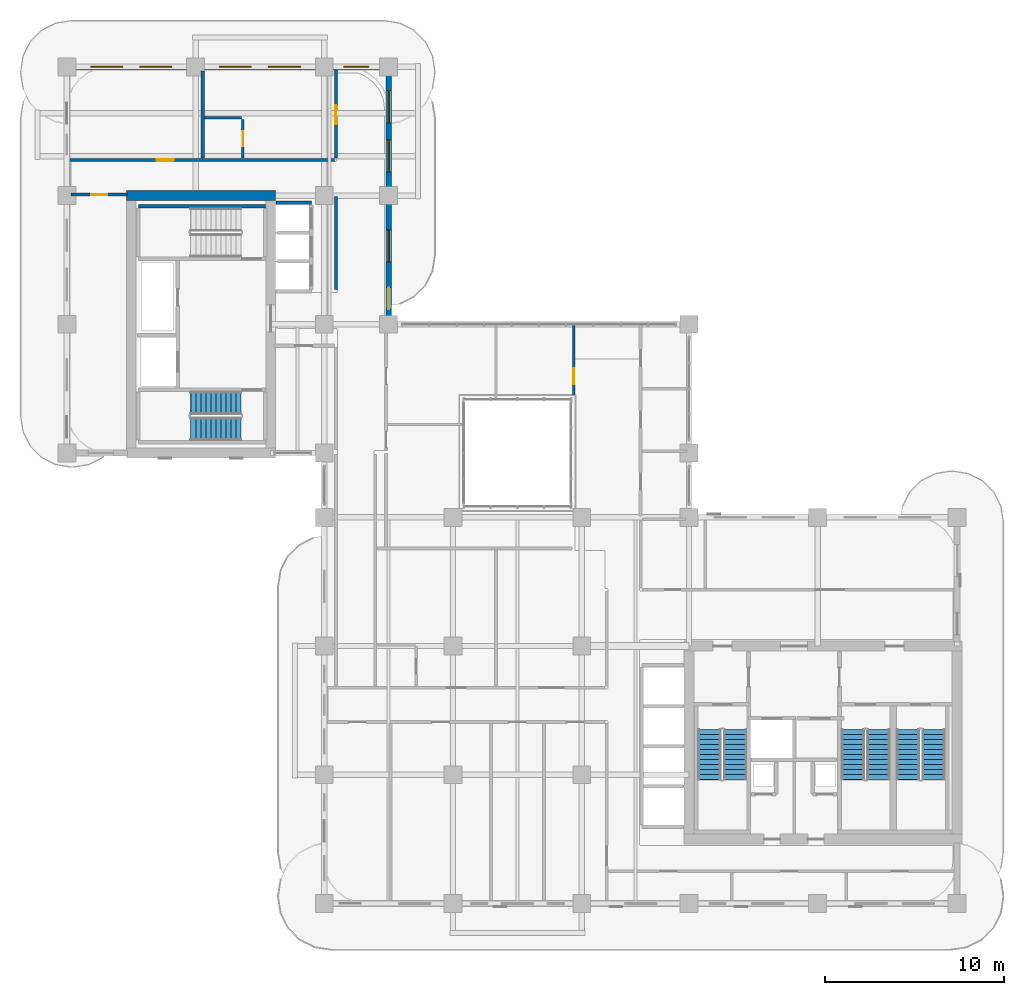
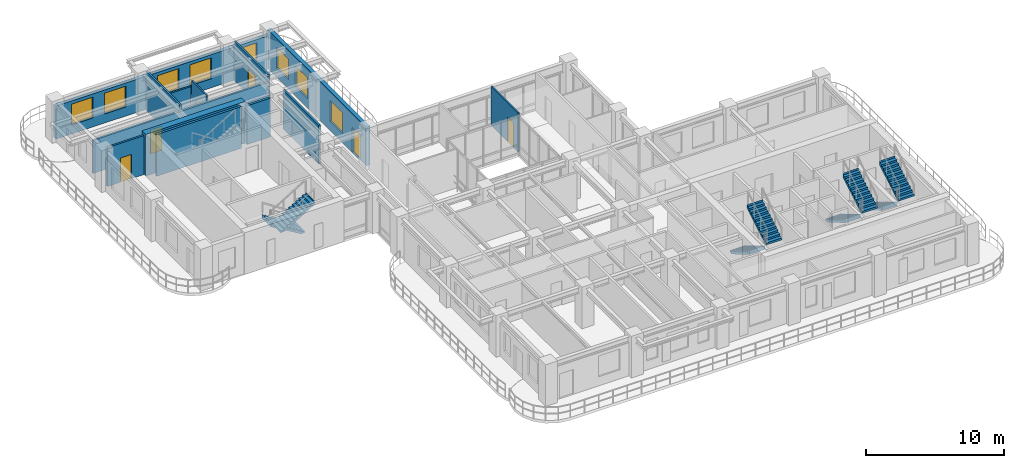
# One storey, part 15 of 20: 13 walls, 8 stair flights, 8 windows, 6 doors, 14 openings, 4 elements without a shape of their own.
"""IFC4 building model written with IfcOpenShell, lengths in metres."""

from ifc_helpers import new_model, si_unit, derived_unit, direction, frame, frame_2d, origin, place, context, subcontext, project, spatial, polyline, rectangle, outline, extrude, source, transform, mapped, material, layer, layer_set, type_object, type_shapes, element, fill, aggregate, save


model = new_model("IFC4")

# Units and contexts
model_context = context("Model", 3, precision=1e-05, world=origin(), true_north=direction((0.0, 1.0)))
body_context = subcontext(model_context, "Body", "Model", "MODEL_VIEW")
ifc_project = project(units=[si_unit("LENGTHUNIT", "METRE"), si_unit("AREAUNIT", "SQUARE_METRE"), si_unit("VOLUMEUNIT", "CUBIC_METRE"), si_unit("PLANEANGLEUNIT", "RADIAN"), si_unit("MASSUNIT", "GRAM", prefix="KILO"), si_unit("THERMODYNAMICTEMPERATUREUNIT", "KELVIN"), si_unit("POWERUNIT", "WATT"), derived_unit("THERMALTRANSMITTANCEUNIT", [(si_unit("POWERUNIT", "WATT"), 1), (si_unit("AREAUNIT", "SQUARE_METRE"), -1), (si_unit("THERMODYNAMICTEMPERATUREUNIT", "KELVIN"), -1)])], contexts=[model_context])

# Site, building, storey
site_placement = place(None, origin())
site = spatial("IfcSite", under=ifc_project, at=site_placement, CompositionType="ELEMENT")
building_placement = place(site_placement, origin())
building = spatial("IfcBuilding", under=site, at=building_placement, Name="Zahravan Archway Hotel and Residences", CompositionType="ELEMENT")
storey_placement = place(building_placement, frame((0.0, 0.0, 137.699951171875)))
storey = spatial("IfcBuildingStorey", under=building, at=storey_placement, Name="L34", CompositionType="ELEMENT", Elevation=137.699951171875)

# Wall
ifc_material_1 = material(Name="Concrete C70/85", Category="concrete")
ifc_layer_1 = layer(ifc_material_1, 0.550048828125, Name="Concrete C70/85", Category="concrete")
ifc_layer_set_1 = layer_set([ifc_layer_1], Name="Concrete C70/85")
wall_type_1 = type_object("IfcWallType", Name="CW-CORE-550", PredefinedType="SHEAR", material=ifc_layer_set_1)
wall_1_placement = place(storey_placement, frame((3.324951171875, 39.60009765625, 0.0), z_axis=(0.0, 0.0, 1.0), x_axis=(1.0, 0.0, 0.0)))
element("IfcWall", 1, at=wall_1_placement, inside=storey, type_object=wall_type_1, Name="L34 Core B Shear N Wall 550 mm", PredefinedType="SHEAR", context=body_context, shape_type="SweptSolid", body=[
    extrude(rectangle(XDim=8.35009765625, YDim=0.550048828125, at=frame_2d((4.175048828125, 0.0))), origin(), (0.0, 0.0, 1.0), 3.699951171875),
])

# Wall, openings, windows
ifc_material_2 = material(Name="Agra Buff Sandstone & Insulated Backup", Category="masonry")
ifc_layer_2 = layer(ifc_material_2, 0.320068359375, Name="Agra Buff Sandstone & Insulated Backup", Category="masonry")
ifc_layer_set_2 = layer_set([ifc_layer_2], Name="Agra Buff Sandstone & Insulated Backup")
wall_type_2 = type_object("IfcWallType", Name="EW-SAND-320", PredefinedType="SOLIDWALL", material=ifc_layer_set_2)
wall_2_placement = place(storey_placement, frame((0.0, 46.800048828125, 0.0), z_axis=(0.0, 0.0, 1.0), x_axis=(1.0, 0.0, 0.0)))
wall_2 = element("IfcWall", 2, at=wall_2_placement, inside=storey, type_object=wall_type_2, Name="L34 Exterior Sandstone Wall WB-N", PredefinedType="SOLIDWALL", context=body_context, shape_type="SweptSolid", body=[
    extrude(rectangle(XDim=18.0, YDim=0.320068359375, at=frame_2d((9.0, 0.0))), origin(), (0.0, 0.0, 1.0), 2.93505859375),
])
opening_1_placement = place(wall_2_placement, frame((1.324951171875, 0.0, 0.800048828125)))
opening_1 = element("IfcOpeningElement", 3, at=opening_1_placement, cuts=wall_2, Name="Opening W-02", PredefinedType="OPENING", context=body_context, shape_type="SweptSolid", body=[
    extrude(rectangle(XDim=1.800048828125, YDim=1.85009765625, at=frame_2d((0.89990234375, 0.925048828125))), frame((0.0, 0.169921875, 0.0), z_axis=(0.0, -1.0, 0.0), x_axis=(1.0, 0.0, 0.0)), (0.0, 0.0, 1.0), 0.340087890625),
])
opening_2_placement = place(wall_2_placement, frame((4.074951171875, 0.0, 0.800048828125)))
opening_2 = element("IfcOpeningElement", 4, at=opening_2_placement, cuts=wall_2, Name="Opening W-02", PredefinedType="OPENING", context=body_context, shape_type="SweptSolid", body=[
    extrude(rectangle(XDim=1.800048828125, YDim=1.85009765625, at=frame_2d((0.89990234375, 0.925048828125))), frame((0.0, 0.169921875, 0.0), z_axis=(0.0, -1.0, 0.0), x_axis=(1.0, 0.0, 0.0)), (0.0, 0.0, 1.0), 0.340087890625),
])
opening_3_placement = place(wall_2_placement, frame((8.52490234375, 0.0, 0.800048828125)))
opening_3 = element("IfcOpeningElement", 5, at=opening_3_placement, cuts=wall_2, Name="Opening W-02", PredefinedType="OPENING", context=body_context, shape_type="SweptSolid", body=[
    extrude(rectangle(XDim=1.800048828125, YDim=1.85009765625, at=frame_2d((0.89990234375, 0.925048828125))), frame((0.0, 0.169921875, 0.0), z_axis=(0.0, -1.0, 0.0), x_axis=(1.0, 0.0, 0.0)), (0.0, 0.0, 1.0), 0.340087890625),
])
opening_4_placement = place(wall_2_placement, frame((11.27490234375, 0.0, 0.800048828125)))
opening_4 = element("IfcOpeningElement", 6, at=opening_4_placement, cuts=wall_2, Name="Opening W-02", PredefinedType="OPENING", context=body_context, shape_type="SweptSolid", body=[
    extrude(rectangle(XDim=1.800048828125, YDim=1.85009765625, at=frame_2d((0.89990234375, 0.925048828125))), frame((0.0, 0.169921875, 0.0), z_axis=(0.0, -1.0, 0.0), x_axis=(1.0, 0.0, 0.0)), (0.0, 0.0, 1.0), 0.340087890625),
])
opening_5_placement = place(wall_2_placement, frame((15.5, 0.0, 0.800048828125)))
opening_5 = element("IfcOpeningElement", 7, at=opening_5_placement, cuts=wall_2, Name="Opening W-03", PredefinedType="OPENING", context=body_context, shape_type="SweptSolid", body=[
    extrude(rectangle(XDim=1.39990234375, YDim=1.85009765625, at=frame_2d((0.699951171875, 0.925048828125))), frame((0.0, 0.169921875, 0.0), z_axis=(0.0, -1.0, 0.0), x_axis=(1.0, 0.0, 0.0)), (0.0, 0.0, 1.0), 0.340087890625),
])
ifc_material_3 = material(Name="Bronze-Anodized Thermal-Break Aluminium & Low-E Glass", Category="aluminium")
window_type_1 = type_object("IfcWindowType", Name="WIN-TWR-1400", PartitioningType="SINGLE_PANEL", PredefinedType="WINDOW", material=ifc_material_3)
shared_shape_1 = source(origin(), body_context, "Body", "SweptSolid", [
    extrude(rectangle(XDim=1.39990234375, YDim=1.85009765625, at=frame_2d((0.699951171875, 0.925048828125))), frame((0.0, 0.030029296875, 0.0), z_axis=(0.0, -1.0, 0.0), x_axis=(1.0, 0.0, 0.0)), (0.0, 0.0, 1.0), 0.06005859375),
])
type_shapes(window_type_1, [shared_shape_1])
window_1_placement = place(opening_5_placement, origin())
window_1 = element("IfcWindow", 8, at=window_1_placement, inside=storey, type_object=window_type_1, Name="L34 Loggia Window 30", OverallHeight=1.85009765625, OverallWidth=1.39990234375, PartitioningType="SINGLE_PANEL", PredefinedType="WINDOW", context=body_context, shape_type="MappedRepresentation", body=[
    mapped(shared_shape_1, transform((0.0, 0.0, 0.0), scale=1.0)),
])
fill(opening_5, window_1)
window_type_2 = type_object("IfcWindowType", Name="WIN-TWR-1800", PartitioningType="DOUBLE_PANEL_VERTICAL", PredefinedType="WINDOW", material=ifc_material_3)
shared_shape_2 = source(origin(), body_context, "Body", "SweptSolid", [
    extrude(rectangle(XDim=1.800048828125, YDim=1.85009765625, at=frame_2d((0.89990234375, 0.925048828125))), frame((0.0, 0.030029296875, 0.0), z_axis=(0.0, -1.0, 0.0), x_axis=(1.0, 0.0, 0.0)), (0.0, 0.0, 1.0), 0.06005859375),
])
type_shapes(window_type_2, [shared_shape_2])
window_2_placement = place(opening_1_placement, origin())
window_2 = element("IfcWindow", 9, at=window_2_placement, inside=storey, type_object=window_type_2, Name="L34 Loggia Window 26", OverallHeight=1.85009765625, OverallWidth=1.800048828125, PartitioningType="DOUBLE_PANEL_VERTICAL", PredefinedType="WINDOW", context=body_context, shape_type="MappedRepresentation", body=[
    mapped(shared_shape_2, transform((0.0, 0.0, 0.0), scale=1.0)),
])
fill(opening_1, window_2)
window_3_placement = place(opening_2_placement, origin())
window_3 = element("IfcWindow", 10, at=window_3_placement, inside=storey, type_object=window_type_2, Name="L34 Loggia Window 27", OverallHeight=1.85009765625, OverallWidth=1.800048828125, PartitioningType="DOUBLE_PANEL_VERTICAL", PredefinedType="WINDOW", context=body_context, shape_type="MappedRepresentation", body=[
    mapped(shared_shape_2, transform((0.0, 0.0, 0.0), scale=1.0)),
])
fill(opening_2, window_3)
window_4_placement = place(opening_3_placement, origin())
window_4 = element("IfcWindow", 11, at=window_4_placement, inside=storey, type_object=window_type_2, Name="L34 Loggia Window 28", OverallHeight=1.85009765625, OverallWidth=1.800048828125, PartitioningType="DOUBLE_PANEL_VERTICAL", PredefinedType="WINDOW", context=body_context, shape_type="MappedRepresentation", body=[
    mapped(shared_shape_2, transform((0.0, 0.0, 0.0), scale=1.0)),
])
fill(opening_3, window_4)
window_5_placement = place(opening_4_placement, origin())
window_5 = element("IfcWindow", 12, at=window_5_placement, inside=storey, type_object=window_type_2, Name="L34 Loggia Window 29", OverallHeight=1.85009765625, OverallWidth=1.800048828125, PartitioningType="DOUBLE_PANEL_VERTICAL", PredefinedType="WINDOW", context=body_context, shape_type="MappedRepresentation", body=[
    mapped(shared_shape_2, transform((0.0, 0.0, 0.0), scale=1.0)),
])
fill(opening_4, window_5)

# Wall, openings, door, windows
wall_3_placement = place(storey_placement, frame((18.0, 32.39990234375, 0.0), z_axis=(0.0, 0.0, 1.0), x_axis=(0.0, 1.0, 0.0)))
wall_3 = element("IfcWall", 13, at=wall_3_placement, inside=storey, type_object=wall_type_2, Name="L34 Exterior Sandstone Wall WB-EU", PredefinedType="SOLIDWALL", context=body_context, shape_type="SweptSolid", body=[
    extrude(rectangle(XDim=14.35009765625, YDim=0.320068359375, at=frame_2d((7.175048828125, 0.0))), origin(), (0.0, 0.0, 1.0), 3.449951171875),
])
opening_6_placement = place(wall_3_placement, frame((0.85009765625, 0.0, 0.0)))
opening_6 = element("IfcOpeningElement", 14, at=opening_6_placement, cuts=wall_3, Name="Opening ED-BL1", PredefinedType="OPENING", context=body_context, shape_type="SweptSolid", body=[
    extrude(rectangle(XDim=1.199951171875, YDim=2.199951171875, at=frame_2d((0.60009765625, 1.10009765625))), frame((0.0, 0.169921875, 0.0), z_axis=(0.0, -1.0, 0.0), x_axis=(1.0, 0.0, 0.0)), (0.0, 0.0, 1.0), 0.340087890625),
])
opening_7_placement = place(wall_3_placement, frame((3.47509765625, 0.0, 0.800048828125)))
opening_7 = element("IfcOpeningElement", 15, at=opening_7_placement, cuts=wall_3, Name="Opening W-02", PredefinedType="OPENING", context=body_context, shape_type="SweptSolid", body=[
    extrude(rectangle(XDim=1.800048828125, YDim=1.85009765625, at=frame_2d((0.89990234375, 0.925048828125))), frame((0.0, 0.169921875, 0.0), z_axis=(0.0, -1.0, 0.0), x_axis=(1.0, 0.0, 0.0)), (0.0, 0.0, 1.0), 0.340087890625),
])
opening_8_placement = place(wall_3_placement, frame((8.52490234375, 0.0, 0.800048828125)))
opening_8 = element("IfcOpeningElement", 16, at=opening_8_placement, cuts=wall_3, Name="Opening W-02", PredefinedType="OPENING", context=body_context, shape_type="SweptSolid", body=[
    extrude(rectangle(XDim=1.800048828125, YDim=1.85009765625, at=frame_2d((0.89990234375, 0.925048828125))), frame((0.0, 0.169921875, 0.0), z_axis=(0.0, -1.0, 0.0), x_axis=(1.0, 0.0, 0.0)), (0.0, 0.0, 1.0), 0.340087890625),
])
opening_9_placement = place(wall_3_placement, frame((11.27490234375, 0.0, 0.800048828125)))
opening_9 = element("IfcOpeningElement", 17, at=opening_9_placement, cuts=wall_3, Name="Opening W-02", PredefinedType="OPENING", context=body_context, shape_type="SweptSolid", body=[
    extrude(rectangle(XDim=1.800048828125, YDim=1.85009765625, at=frame_2d((0.89990234375, 0.925048828125))), frame((0.0, 0.169921875, 0.0), z_axis=(0.0, -1.0, 0.0), x_axis=(1.0, 0.0, 0.0)), (0.0, 0.0, 1.0), 0.340087890625),
])
ifc_material_4 = material(Name="Bronze-Anodized Glazed Aluminium", Category="aluminium")
door_type_1 = type_object("IfcDoorType", Name="ED-BALC-1200", OperationType="SLIDING_TO_LEFT", PredefinedType="DOOR", material=ifc_material_4)
shared_shape_3 = source(origin(), body_context, "Body", "SweptSolid", [
    extrude(rectangle(XDim=1.199951171875, YDim=2.199951171875, at=frame_2d((0.60009765625, 1.10009765625))), frame((0.0, 0.02490234375, 0.0), z_axis=(0.0, -1.0, 0.0), x_axis=(1.0, 0.0, 0.0)), (0.0, 0.0, 1.0), 0.050048828125),
])
type_shapes(door_type_1, [shared_shape_3])
door_1_placement = place(opening_6_placement, origin())
door_1 = element("IfcDoor", 18, at=door_1_placement, inside=storey, type_object=door_type_1, Name="L34 Outdoor Access Sliding Door (SLB-BAL-L34-EB)", OperationType="SLIDING_TO_LEFT", OverallHeight=2.199951171875, OverallWidth=1.199951171875, PredefinedType="DOOR", context=body_context, shape_type="MappedRepresentation", body=[
    mapped(shared_shape_3, transform((0.0, 0.0, 0.0), scale=1.0)),
])
fill(opening_6, door_1)
window_6_placement = place(opening_7_placement, origin())
window_6 = element("IfcWindow", 19, at=window_6_placement, inside=storey, type_object=window_type_2, Name="L34 Loggia Window 31", OverallHeight=1.85009765625, OverallWidth=1.800048828125, PartitioningType="DOUBLE_PANEL_VERTICAL", PredefinedType="WINDOW", context=body_context, shape_type="MappedRepresentation", body=[
    mapped(shared_shape_2, transform((0.0, 0.0, 0.0), scale=1.0)),
])
fill(opening_7, window_6)
window_7_placement = place(opening_8_placement, origin())
window_7 = element("IfcWindow", 20, at=window_7_placement, inside=storey, type_object=window_type_2, Name="L34 Loggia Window 32", OverallHeight=1.85009765625, OverallWidth=1.800048828125, PartitioningType="DOUBLE_PANEL_VERTICAL", PredefinedType="WINDOW", context=body_context, shape_type="MappedRepresentation", body=[
    mapped(shared_shape_2, transform((0.0, 0.0, 0.0), scale=1.0)),
])
fill(opening_8, window_7)
window_8_placement = place(opening_9_placement, origin())
window_8 = element("IfcWindow", 21, at=window_8_placement, inside=storey, type_object=window_type_2, Name="L34 Loggia Window 33", OverallHeight=1.85009765625, OverallWidth=1.800048828125, PartitioningType="DOUBLE_PANEL_VERTICAL", PredefinedType="WINDOW", context=body_context, shape_type="MappedRepresentation", body=[
    mapped(shared_shape_2, transform((0.0, 0.0, 0.0), scale=1.0)),
])
fill(opening_9, window_8)

# Wall
ifc_material_5 = material(Name="Fire-Rated Gypsum & Concrete Block", Category="concrete")
ifc_layer_3 = layer(ifc_material_5, 0.159912109375, Name="Fire-Rated Gypsum & Concrete Block", Category="concrete")
ifc_layer_set_3 = layer_set([ifc_layer_3], Name="Fire-Rated Gypsum & Concrete Block")
wall_type_3 = type_object("IfcWallType", Name="PW-CORR-160", PredefinedType="PARTITIONING", material=ifc_layer_set_3)
wall_4_placement = place(storey_placement, frame((15.050048828125, 34.340087890625, 0.0), z_axis=(0.0, 0.0, 1.0), x_axis=(0.0, 1.0, 0.0)))
element("IfcWall", 22, at=wall_4_placement, inside=storey, type_object=wall_type_3, Name="L34 Partition WBN-CL", PredefinedType="PARTITIONING", context=body_context, shape_type="SweptSolid", body=[
    extrude(rectangle(XDim=5.219970703125, YDim=0.159912109375, at=frame_2d((2.60986328125, 0.0))), origin(), (0.0, 0.0, 1.0), 3.449951171875),
])

# Wall, opening, door
wall_5_placement = place(storey_placement, frame((15.050048828125, 41.68994140625, 0.0), z_axis=(0.0, 0.0, 1.0), x_axis=(0.0, 1.0, 0.0)))
wall_5 = element("IfcWall", 23, at=wall_5_placement, inside=storey, type_object=wall_type_3, Name="L34 Partition WBN-CU", PredefinedType="PARTITIONING", context=body_context, shape_type="SweptSolid", body=[
    extrude(rectangle(XDim=4.942138671875, YDim=0.159912109375, at=frame_2d((2.47119140625, 0.0))), origin(), (0.0, 0.0, 1.0), 3.449951171875),
])
opening_10_placement = place(wall_5_placement, frame((1.909912109375, 0.0, 0.0)))
opening_10 = element("IfcOpeningElement", 24, at=opening_10_placement, cuts=wall_5, Name="Opening D-U1", PredefinedType="OPENING", context=body_context, shape_type="SweptSolid", body=[
    extrude(rectangle(XDim=1.050048828125, YDim=2.25, at=frame_2d((0.52490234375, 1.125))), frame((0.0, 0.08984375, 0.0), z_axis=(0.0, -1.0, 0.0), x_axis=(1.0, 0.0, 0.0)), (0.0, 0.0, 1.0), 0.179931640625),
])
ifc_material_6 = material(Name="Hardwood Veneer Timber", Category="wood")
door_type_2 = type_object("IfcDoorType", Name="ID-UNIT-1050", OperationType="NOTDEFINED", PredefinedType="DOOR", material=ifc_material_6)
shared_shape_4 = source(origin(), body_context, "Body", "SweptSolid", [
    extrude(rectangle(XDim=1.050048828125, YDim=2.25, at=frame_2d((0.52490234375, 1.125))), frame((0.0, 0.02490234375, 0.0), z_axis=(0.0, -1.0, 0.0), x_axis=(1.0, 0.0, 0.0)), (0.0, 0.0, 1.0), 0.050048828125),
])
type_shapes(door_type_2, [shared_shape_4])
door_2_placement = place(opening_10_placement, origin())
door_2 = element("IfcDoor", 25, at=door_2_placement, inside=storey, type_object=door_type_2, Name="L34 Hotel Guestroom 78 Entrance Door", OperationType="SINGLE_SWING_RIGHT", OverallHeight=2.25, OverallWidth=1.050048828125, PredefinedType="DOOR", context=body_context, shape_type="MappedRepresentation", body=[
    mapped(shared_shape_4, transform((0.0, 0.0, 0.0), scale=1.0)),
])
fill(opening_10, door_2)

wall_6_placement = place(storey_placement, frame((0.16796875, 41.60009765625, 0.0), z_axis=(0.0, 0.0, 1.0), x_axis=(1.0, 0.0, 0.0)))
wall_6 = element("IfcWall", 26, at=wall_6_placement, inside=storey, type_object=wall_type_3, Name="L34 Partition WBN-S2", PredefinedType="PARTITIONING", context=body_context, shape_type="SweptSolid", body=[
    extrude(rectangle(XDim=14.7919921875, YDim=0.159912109375, at=frame_2d((7.39599609375, 0.0))), origin(), (0.0, 0.0, 1.0), 2.93505859375),
])
opening_11_placement = place(wall_6_placement, frame((4.85693359375, 0.0, 0.0)))
opening_11 = element("IfcOpeningElement", 27, at=opening_11_placement, cuts=wall_6, Name="Opening D-I1", PredefinedType="OPENING", context=body_context, shape_type="SweptSolid", body=[
    extrude(rectangle(XDim=0.949951171875, YDim=2.14990234375, at=frame_2d((0.47509765625, 1.074951171875))), frame((0.0, 0.08984375, 0.0), z_axis=(0.0, -1.0, 0.0), x_axis=(1.0, 0.0, 0.0)), (0.0, 0.0, 1.0), 0.179931640625),
])
door_type_3 = type_object("IfcDoorType", Name="ID-INT-950", OperationType="NOTDEFINED", PredefinedType="DOOR", material=ifc_material_6)
shared_shape_5 = source(origin(), body_context, "Body", "SweptSolid", [
    extrude(rectangle(XDim=0.949951171875, YDim=2.14990234375, at=frame_2d((0.47509765625, 1.074951171875))), frame((0.0, 0.02490234375, 0.0), z_axis=(0.0, -1.0, 0.0), x_axis=(1.0, 0.0, 0.0)), (0.0, 0.0, 1.0), 0.050048828125),
])
type_shapes(door_type_3, [shared_shape_5])
door_3_placement = place(opening_11_placement, origin())
door_3 = element("IfcDoor", 28, at=door_3_placement, inside=storey, type_object=door_type_3, Name="L34 North West Study Door", OperationType="SINGLE_SWING_RIGHT", OverallHeight=2.14990234375, OverallWidth=0.949951171875, PredefinedType="DOOR", context=body_context, shape_type="MappedRepresentation", body=[
    mapped(shared_shape_5, transform((0.0, 0.0, 0.0), scale=1.0)),
])
fill(opening_11, door_3)

ifc_material_7 = material(Name="Acoustic Stud Partition")
ifc_layer_4 = layer(ifc_material_7, 0.125, Name="Acoustic Stud Partition")
ifc_layer_set_4 = layer_set([ifc_layer_4], Name="Acoustic Stud Partition")
wall_type_4 = type_object("IfcWallType", Name="PW-INT-125", PredefinedType="PARTITIONING", material=ifc_layer_set_4)
wall_7_placement = place(storey_placement, frame((28.35009765625, 28.43994140625, 0.0), z_axis=(0.0, 0.0, 1.0), x_axis=(0.0, 1.0, 0.0)))
wall_7 = element("IfcWall", 29, at=wall_7_placement, inside=storey, type_object=wall_type_4, Name="L34 Partition ATR-NWE", PredefinedType="PARTITIONING", context=body_context, shape_type="SweptSolid", body=[
    extrude(rectangle(XDim=3.93212890625, YDim=0.125, at=frame_2d((1.966064453125, 0.0))), origin(), (0.0, 0.0, 1.0), 3.449951171875),
])
opening_12_placement = place(wall_7_placement, frame((0.610107421875, 0.0, 0.0)))
opening_12 = element("IfcOpeningElement", 30, at=opening_12_placement, cuts=wall_7, Name="Opening D-I2", PredefinedType="OPENING", context=body_context, shape_type="SweptSolid", body=[
    extrude(rectangle(XDim=0.89990234375, YDim=2.14990234375, at=frame_2d((0.449951171875, 1.074951171875))), frame((0.0, 0.072509765625, 0.0), z_axis=(0.0, -1.0, 0.0), x_axis=(1.0, 0.0, 0.0)), (0.0, 0.0, 1.0), 0.14501953125),
])
door_type_4 = type_object("IfcDoorType", Name="ID-INT-900", OperationType="NOTDEFINED", PredefinedType="DOOR", material=ifc_material_6)
shared_shape_6 = source(origin(), body_context, "Body", "SweptSolid", [
    extrude(rectangle(XDim=0.89990234375, YDim=2.14990234375, at=frame_2d((0.449951171875, 1.074951171875))), frame((0.0, 0.02490234375, 0.0), z_axis=(0.0, -1.0, 0.0), x_axis=(1.0, 0.0, 0.0)), (0.0, 0.0, 1.0), 0.050048828125),
])
type_shapes(door_type_4, [shared_shape_6])
door_4_placement = place(opening_12_placement, origin())
door_4 = element("IfcDoor", 31, at=door_4_placement, inside=storey, type_object=door_type_4, Name="L34 Atrium NE Study Door", OperationType="SINGLE_SWING_RIGHT", OverallHeight=2.14990234375, OverallWidth=0.89990234375, PredefinedType="DOOR", context=body_context, shape_type="MappedRepresentation", body=[
    mapped(shared_shape_6, transform((0.0, 0.0, 0.0), scale=1.0)),
])
fill(opening_12, door_4)

# Wall
ifc_layer_5 = layer(ifc_material_5, 0.199951171875, Name="Fire-Rated Gypsum & Concrete Block", Category="concrete")
ifc_layer_set_5 = layer_set([ifc_layer_5], Name="Fire-Rated Gypsum & Concrete Block")
wall_type_5 = type_object("IfcWallType", Name="PW-SHAFT-200", PredefinedType="PARTITIONING", material=ifc_layer_set_5)
wall_8_placement = place(storey_placement, frame((11.68505859375, 39.18994140625, 0.0), z_axis=(0.0, 0.0, 1.0), x_axis=(1.0, 0.0, 0.0)))
element("IfcWall", 32, at=wall_8_placement, inside=storey, type_object=wall_type_5, Name="L34 Partition B2-N", PredefinedType="PARTITIONING", context=body_context, shape_type="SweptSolid", body=[
    extrude(rectangle(XDim=1.98486328125, YDim=0.199951171875, at=frame_2d((0.992431640625, 0.0))), origin(), (0.0, 0.0, 1.0), 3.449951171875),
])

# Wall, opening, door
ifc_layer_6 = layer(ifc_material_7, 0.169921875, Name="Acoustic Stud Partition")
ifc_layer_set_6 = layer_set([ifc_layer_6], Name="Acoustic Stud Partition")
wall_type_6 = type_object("IfcWallType", Name="PW-UNIT-170", PredefinedType="PARTITIONING", material=ifc_layer_set_6)
wall_9_placement = place(storey_placement, frame((0.239990234375, 39.64990234375, 0.0), z_axis=(0.0, 0.0, 1.0), x_axis=(1.0, 0.0, 0.0)))
wall_9 = element("IfcWall", 33, at=wall_9_placement, inside=storey, type_object=wall_type_6, Name="L34 Partition WBW-N", PredefinedType="PARTITIONING", context=body_context, shape_type="SweptSolid", body=[
    extrude(rectangle(XDim=3.1201171875, YDim=0.169921875, at=frame_2d((1.56005859375, 0.0))), origin(), (0.0, 0.0, 1.0), 3.449951171875),
])
opening_13_placement = place(wall_9_placement, frame((1.110107421875, 0.0, 0.0)))
opening_13 = element("IfcOpeningElement", 34, at=opening_13_placement, cuts=wall_9, Name="Opening D-I2", PredefinedType="OPENING", context=body_context, shape_type="SweptSolid", body=[
    extrude(rectangle(XDim=0.89990234375, YDim=2.14990234375, at=frame_2d((0.449951171875, 1.074951171875))), frame((0.0, 0.094970703125, 0.0), z_axis=(0.0, -1.0, 0.0), x_axis=(1.0, 0.0, 0.0)), (0.0, 0.0, 1.0), 0.18994140625),
])
door_5_placement = place(opening_13_placement, origin())
door_5 = element("IfcDoor", 35, at=door_5_placement, inside=storey, type_object=door_type_4, Name="L34 West Loggia Salon Door", OperationType="SINGLE_SWING_RIGHT", OverallHeight=2.14990234375, OverallWidth=0.89990234375, PredefinedType="DOOR", context=body_context, shape_type="MappedRepresentation", body=[
    mapped(shared_shape_6, transform((0.0, 0.0, 0.0), scale=1.0)),
])
fill(opening_13, door_5)

# Walls
wall_10_placement = place(storey_placement, frame((7.60009765625, 41.68994140625, 0.0), z_axis=(0.0, 0.0, 1.0), x_axis=(0.0, 1.0, 0.0)))
element("IfcWall", 36, at=wall_10_placement, inside=storey, type_object=wall_type_6, Name="L34 Partition WBN-V2", PredefinedType="PARTITIONING", context=body_context, shape_type="SweptSolid", body=[
    extrude(rectangle(XDim=4.8701171875, YDim=0.169921875, at=frame_2d((2.43505859375, 0.0))), origin(), (0.0, 0.0, 1.0), 3.449951171875),
])
ifc_material_8 = material(Name="Moisture-Resistant Blockwork", Category="masonry")
ifc_layer_7 = layer(ifc_material_8, 0.139892578125, Name="Moisture-Resistant Blockwork", Category="masonry")
ifc_layer_set_7 = layer_set([ifc_layer_7], Name="Moisture-Resistant Blockwork")
wall_type_7 = type_object("IfcWallType", Name="PW-WET-140", PredefinedType="PARTITIONING", material=ifc_layer_set_7)
wall_11_placement = place(storey_placement, frame((7.68994140625, 43.949951171875, 0.0), z_axis=(0.0, 0.0, 1.0), x_axis=(1.0, 0.0, 0.0)))
element("IfcWall", 37, at=wall_11_placement, inside=storey, type_object=wall_type_7, Name="L34 Partition HKB-H78", PredefinedType="PARTITIONING", context=body_context, shape_type="SweptSolid", body=[
    extrude(rectangle(XDim=2.070068359375, YDim=0.139892578125, at=frame_2d((1.03515625, 0.0))), origin(), (0.0, 0.0, 1.0), 2.93505859375),
])

# Wall, opening, door
wall_12_placement = place(storey_placement, frame((9.85009765625, 41.68994140625, 0.0), z_axis=(0.0, 0.0, 1.0), x_axis=(0.0, 1.0, 0.0)))
wall_12 = element("IfcWall", 38, at=wall_12_placement, inside=storey, type_object=wall_type_7, Name="L34 Partition HKB-V78", PredefinedType="PARTITIONING", context=body_context, shape_type="SweptSolid", body=[
    extrude(rectangle(XDim=2.170166015625, YDim=0.139892578125, at=frame_2d((1.0849609375, 0.0))), origin(), (0.0, 0.0, 1.0), 3.449951171875),
])
opening_14_placement = place(wall_12_placement, frame((0.659912109375, 0.0, 0.0)))
opening_14 = element("IfcOpeningElement", 39, at=opening_14_placement, cuts=wall_12, Name="Opening D-B1", PredefinedType="OPENING", context=body_context, shape_type="SweptSolid", body=[
    extrude(rectangle(XDim=0.85009765625, YDim=2.10009765625, at=frame_2d((0.425048828125, 1.050048828125))), frame((0.0, 0.080078125, 0.0), z_axis=(0.0, -1.0, 0.0), x_axis=(1.0, 0.0, 0.0)), (0.0, 0.0, 1.0), 0.159912109375),
])
door_type_5 = type_object("IfcDoorType", Name="ID-BATH-850", OperationType="NOTDEFINED", PredefinedType="DOOR", material=ifc_material_6)
shared_shape_7 = source(origin(), body_context, "Body", "SweptSolid", [
    extrude(rectangle(XDim=0.85009765625, YDim=2.10009765625, at=frame_2d((0.425048828125, 1.050048828125))), frame((0.0, 0.02490234375, 0.0), z_axis=(0.0, -1.0, 0.0), x_axis=(1.0, 0.0, 0.0)), (0.0, 0.0, 1.0), 0.050048828125),
])
type_shapes(door_type_5, [shared_shape_7])
door_6_placement = place(opening_14_placement, origin())
door_6 = element("IfcDoor", 40, at=door_6_placement, inside=storey, type_object=door_type_5, Name="L34 Guestroom 78 En-Suite Door", OperationType="SINGLE_SWING_LEFT", OverallHeight=2.10009765625, OverallWidth=0.85009765625, PredefinedType="DOOR", context=body_context, shape_type="MappedRepresentation", body=[
    mapped(shared_shape_7, transform((0.0, 0.0, 0.0), scale=1.0)),
])
fill(opening_14, door_6)

# Wall
ifc_material_9 = material(Name="Concrete C50/60", Category="concrete")
ifc_layer_8 = layer(ifc_material_9, 0.199951171875, Name="Concrete C50/60", Category="concrete")
ifc_layer_set_8 = layer_set([ifc_layer_8], Name="Concrete C50/60")
wall_type_8 = type_object("IfcWallType", Name="SW-STAIR-200", PredefinedType="SHEAR", material=ifc_layer_set_8)
wall_13_placement = place(storey_placement, frame((4.0, 39.0, 0.0), z_axis=(0.0, 0.0, 1.0), x_axis=(1.0, 0.0, 0.0)))
element("IfcWall", 41, at=wall_13_placement, inside=storey, type_object=wall_type_8, Name="L34 Stairwell RC Wall CB-SB2N", PredefinedType="SHEAR", context=body_context, shape_type="SweptSolid", body=[
    extrude(rectangle(XDim=7.10009765625, YDim=0.199951171875, at=frame_2d((3.550048828125, 0.0))), origin(), (0.0, 0.0, 1.0), 3.699951171875),
])

# Stair, stair flights
stair_type = type_object("IfcStairType", Name="STR-CORE-1300", PredefinedType="HALF_TURN_STAIR", material=ifc_material_9)
stair_1_placement = place(storey_placement, origin())
stair_1 = element("IfcStair", 42, at=stair_1_placement, inside=storey, type_object=stair_type, Name="L34 Core A Exit Stair 1", PredefinedType="HALF_TURN_STAIR")
ifc_layer_9 = layer(ifc_material_9, 0.199951171875, Name="Concrete C50/60", Category="concrete")
ifc_layer_set_9 = layer_set([ifc_layer_9], Name="Concrete C50/60")
stair_flight_type = type_object("IfcStairFlightType", Name="SFL-CORE-1300", PredefinedType="STRAIGHT", material=ifc_layer_set_9)
shared_shape_8 = source(origin(), body_context, "Body", "SweptSolid", [
    extrude(outline(polyline([(-0.01611328125, 0.0), (-0.01611328125, 0.168212890625), (0.280029296875, 0.168212890625), (0.280029296875, 0.33642578125), (0.56005859375, 0.33642578125), (0.56005859375, 0.504638671875), (0.840087890625, 0.504638671875), (0.840087890625, 0.672607421875), (1.1201171875, 0.672607421875), (1.1201171875, 0.8408203125), (1.39990234375, 0.8408203125), (1.39990234375, 1.009033203125), (1.679931640625, 1.009033203125), (1.679931640625, 1.17724609375), (1.9599609375, 1.17724609375), (1.9599609375, 1.345458984375), (2.239990234375, 1.345458984375), (2.239990234375, 1.513671875), (2.52001953125, 1.513671875), (2.52001953125, 1.681884765625), (2.800048828125, 1.681884765625), (2.800048828125, 1.85009765625), (2.816162109375, 1.85009765625), (2.816162109375, 1.5068359375), (0.291015625, 0.0), (-0.01611328125, 0.0)])), frame((0.0, 0.64990234375, 0.0), z_axis=(0.0, -1.0, 0.0), x_axis=(1.0, 0.0, 0.0)), (0.0, 0.0, 1.0), 1.300048828125),
])
stair_flight_1_placement = place(storey_placement, frame((35.949951171875, 9.72998046875, 0.0), z_axis=(0.0, 0.0, 1.0), x_axis=(0.0, -1.0, 0.0)))
stair_flight_1 = element("IfcStairFlight", 43, at=stair_flight_1_placement, type_object=stair_flight_type, Name="ST-A1 flight 1", NumberOfRisers=11, NumberOfTreads=10, PredefinedType="STRAIGHT", RiserHeight=0.168181818, TreadLength=0.28, context=body_context, shape_type="MappedRepresentation", body=[
    mapped(shared_shape_8, transform((0.0, 0.0, 0.0), scale=1.0)),
])
stair_flight_2_placement = place(storey_placement, frame((37.389892578125, 6.929931640625, 1.85009765625), z_axis=(0.0, 0.0, 1.0), x_axis=(0.0, 1.0, 0.0)))
stair_flight_2 = element("IfcStairFlight", 44, at=stair_flight_2_placement, type_object=stair_flight_type, Name="ST-A1 flight 2", NumberOfRisers=11, NumberOfTreads=10, PredefinedType="STRAIGHT", RiserHeight=0.168181818, TreadLength=0.28, context=body_context, shape_type="MappedRepresentation", body=[
    mapped(shared_shape_8, transform((0.0, 0.0, 0.0), scale=1.0)),
])
aggregate(stair_1, [stair_flight_1, stair_flight_2])

stair_2_placement = place(storey_placement, origin())
stair_2 = element("IfcStair", 45, at=stair_2_placement, inside=storey, type_object=stair_type, Name="L34 Core A Exit Stair 2", PredefinedType="HALF_TURN_STAIR")
stair_flight_3_placement = place(storey_placement, frame((43.969970703125, 9.72998046875, 0.0), z_axis=(0.0, 0.0, 1.0), x_axis=(0.0, -1.0, 0.0)))
stair_flight_3 = element("IfcStairFlight", 46, at=stair_flight_3_placement, type_object=stair_flight_type, Name="ST-A2 flight 1", NumberOfRisers=11, NumberOfTreads=10, PredefinedType="STRAIGHT", RiserHeight=0.168181818, TreadLength=0.28, context=body_context, shape_type="MappedRepresentation", body=[
    mapped(shared_shape_8, transform((0.0, 0.0, 0.0), scale=1.0)),
])
stair_flight_4_placement = place(storey_placement, frame((45.409912109375, 6.929931640625, 1.85009765625), z_axis=(0.0, 0.0, 1.0), x_axis=(0.0, 1.0, 0.0)))
stair_flight_4 = element("IfcStairFlight", 47, at=stair_flight_4_placement, type_object=stair_flight_type, Name="ST-A2 flight 2", NumberOfRisers=11, NumberOfTreads=10, PredefinedType="STRAIGHT", RiserHeight=0.168181818, TreadLength=0.28, context=body_context, shape_type="MappedRepresentation", body=[
    mapped(shared_shape_8, transform((0.0, 0.0, 0.0), scale=1.0)),
])
aggregate(stair_2, [stair_flight_3, stair_flight_4])

stair_3_placement = place(storey_placement, origin())
stair_3 = element("IfcStair", 48, at=stair_3_placement, inside=storey, type_object=stair_type, Name="L34 Core A Exit Stair 3", PredefinedType="HALF_TURN_STAIR")
stair_flight_5_placement = place(storey_placement, frame((47.050048828125, 9.72998046875, 0.0), z_axis=(0.0, 0.0, 1.0), x_axis=(0.0, -1.0, 0.0)))
stair_flight_5 = element("IfcStairFlight", 49, at=stair_flight_5_placement, type_object=stair_flight_type, Name="ST-A3 flight 1", NumberOfRisers=11, NumberOfTreads=10, PredefinedType="STRAIGHT", RiserHeight=0.168181818, TreadLength=0.28, context=body_context, shape_type="MappedRepresentation", body=[
    mapped(shared_shape_8, transform((0.0, 0.0, 0.0), scale=1.0)),
])
stair_flight_6_placement = place(storey_placement, frame((48.489990234375, 6.929931640625, 1.85009765625), z_axis=(0.0, 0.0, 1.0), x_axis=(0.0, 1.0, 0.0)))
stair_flight_6 = element("IfcStairFlight", 50, at=stair_flight_6_placement, type_object=stair_flight_type, Name="ST-A3 flight 2", NumberOfRisers=11, NumberOfTreads=10, PredefinedType="STRAIGHT", RiserHeight=0.168181818, TreadLength=0.28, context=body_context, shape_type="MappedRepresentation", body=[
    mapped(shared_shape_8, transform((0.0, 0.0, 0.0), scale=1.0)),
])
aggregate(stair_3, [stair_flight_5, stair_flight_6])

stair_4_placement = place(storey_placement, origin())
stair_4 = element("IfcStair", 51, at=stair_4_placement, inside=storey, type_object=stair_type, Name="L34 Core B Exit Stair 1", PredefinedType="HALF_TURN_STAIR")
stair_flight_7_placement = place(storey_placement, frame((9.72998046875, 27.989990234375, 0.0), z_axis=(0.0, 0.0, 1.0), x_axis=(-1.0, 0.0, 0.0)))
stair_flight_7 = element("IfcStairFlight", 52, at=stair_flight_7_placement, type_object=stair_flight_type, Name="ST-B1 flight 1", NumberOfRisers=11, NumberOfTreads=10, PredefinedType="STRAIGHT", RiserHeight=0.168181818, TreadLength=0.28, context=body_context, shape_type="MappedRepresentation", body=[
    mapped(shared_shape_8, transform((0.0, 0.0, 0.0), scale=1.0)),
])
stair_flight_8_placement = place(storey_placement, frame((6.929931640625, 26.550048828125, 1.85009765625), z_axis=(0.0, 0.0, 1.0), x_axis=(1.0, 0.0, 0.0)))
stair_flight_8 = element("IfcStairFlight", 53, at=stair_flight_8_placement, type_object=stair_flight_type, Name="ST-B1 flight 2", NumberOfRisers=11, NumberOfTreads=10, PredefinedType="STRAIGHT", RiserHeight=0.168181818, TreadLength=0.28, context=body_context, shape_type="MappedRepresentation", body=[
    mapped(shared_shape_8, transform((0.0, 0.0, 0.0), scale=1.0)),
])
aggregate(stair_4, [stair_flight_7, stair_flight_8])

save(model, "model.ifc")
